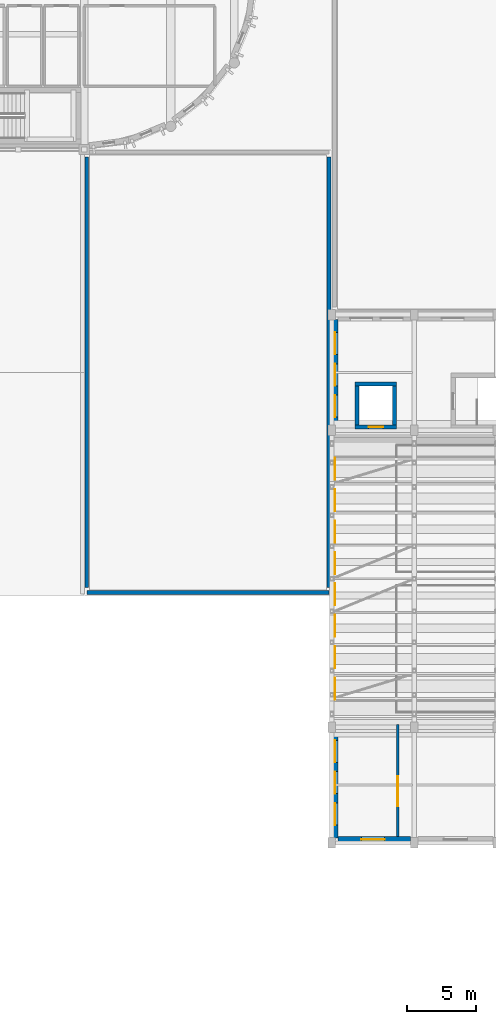
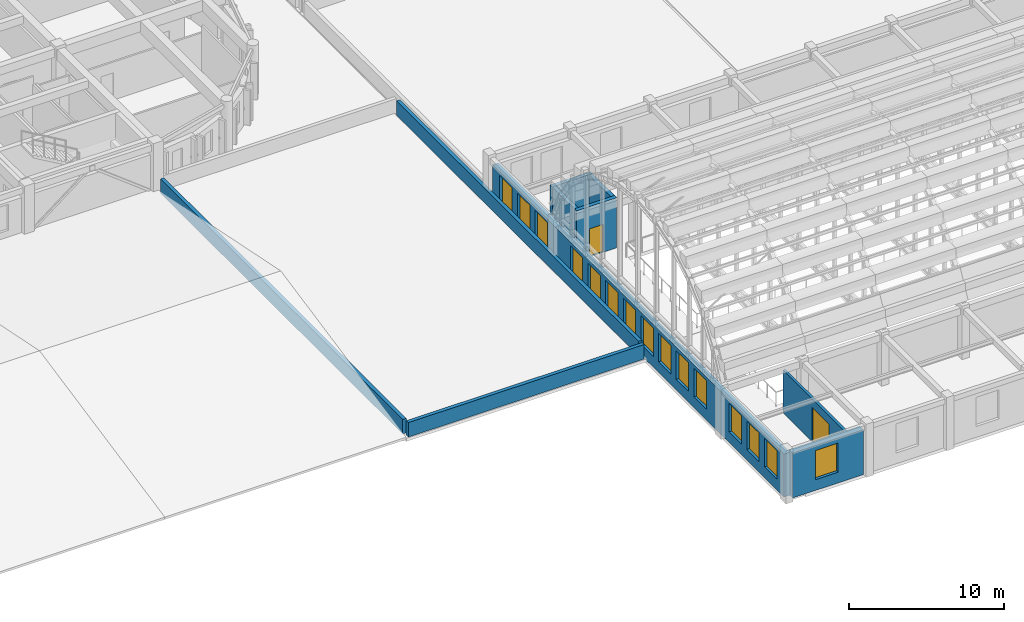
# One storey, part 17 of 46: 15 windows, 10 walls, 2 doors, 17 openings.
"""IFC4 building model written with IfcOpenShell, lengths in metres."""

from ifc_helpers import new_model, si_unit, direction, frame, frame_2d, origin, place, context, subcontext, project, spatial, rectangle, extrude, material, layer, layer_set, type_object, element, fill, save


model = new_model("IFC4")

# Units and contexts
model_context = context("Model", 3, precision=1e-05, world=origin(), true_north=direction((0.0, 1.0)))
body_context = subcontext(model_context, "Body", "Model", "MODEL_VIEW")
ifc_project = project(units=[si_unit("LENGTHUNIT", "METRE"), si_unit("AREAUNIT", "SQUARE_METRE"), si_unit("VOLUMEUNIT", "CUBIC_METRE"), si_unit("PLANEANGLEUNIT", "RADIAN"), si_unit("MASSUNIT", "GRAM", prefix="KILO")], contexts=[model_context])

# Site, building, storey
site_placement = place(None, origin())
site = spatial("IfcSite", under=ifc_project, at=site_placement, CompositionType="ELEMENT")
building_placement = place(site_placement, origin())
building = spatial("IfcBuilding", under=site, at=building_placement, Name="Tarnavel Promenade Courthouse", CompositionType="ELEMENT")
storey_placement = place(building_placement, frame((0.0, 0.0, 14.39990234375)))
storey = spatial("IfcBuildingStorey", under=building, at=storey_placement, Name="L04", CompositionType="ELEMENT", Elevation=14.39990234375)

# Walls
ifc_material_1 = material(Name="Concrete C35/45", Category="concrete")
ifc_layer_1 = layer(ifc_material_1, 0.264892578125)
ifc_layer_set_1 = layer_set([ifc_layer_1], Name="Concrete C35/45")
wall_type_1 = type_object("IfcWallType", Name="Concrete C35/45 WL-PAR-265 (265 mm)", PredefinedType="PARAPET", material=ifc_layer_set_1)
wall_1_placement = place(storey_placement, frame((119.800048828125, 47.0, 0.235107421875), z_axis=(0.0, 0.0, 1.0), x_axis=(-1.0, 0.0, 0.0)))
element("IfcWall", 1, at=wall_1_placement, inside=storey, type_object=wall_type_1, Name="L04 Winter-Garden East Roof Parapet South 0467", PredefinedType="PARAPET", context=body_context, shape_type="SweptSolid", body=[
    extrude(rectangle(XDim=17.60009765625, YDim=0.264892578125, at=frame_2d((8.800048828125, 0.0))), origin(), (0.0, 0.0, 1.0), 1.14501953125),
])
for number, where, z_axis, x_axis, name in (
    (2, (102.199951171875, 47.35009765625, 0.235107421875), (0.0, 0.0, 1.0), (0.0, 1.0, 0.0), "L04 Winter-Garden East Roof Parapet West 0468"),
    (3, (119.800048828125, 78.64990234375, 0.235107421875), (0.0, 0.0, 1.0), (0.0, -1.0, 0.0), "L04 Winter-Garden East Roof Parapet East 0469"),
):
    element("IfcWall", number, at=place(storey_placement, frame(where, z_axis=z_axis, x_axis=x_axis)), inside=storey, type_object=wall_type_1, Name=name, PredefinedType="PARAPET", context=body_context, shape_type="SweptSolid", body=[
        extrude(rectangle(XDim=31.2998046875, YDim=0.264892578125, at=frame_2d((15.64990234375, 0.0))), origin(), (0.0, 0.0, 1.0), 1.14501953125),
    ])
ifc_material_2 = material(Name="Concrete C40/50", Category="concrete")
ifc_layer_2 = layer(ifc_material_2, 0.280029296875)
ifc_layer_set_2 = layer_set([ifc_layer_2], Name="Concrete C40/50")
wall_type_2 = type_object("IfcWallType", Name="Concrete C40/50 WL-SHR-280 (280 mm)", PredefinedType="SHEAR", material=ifc_layer_set_2)
wall_2_placement = place(storey_placement, frame((121.699951171875, 62.159912109375, 0.0), z_axis=(0.0, 0.0, 1.0), x_axis=(1.0, 0.0, 0.0)))
element("IfcWall", 4, at=wall_2_placement, inside=storey, type_object=wall_type_2, Name="L04 L-PUB4 Lift Shaft North Wall", PredefinedType="SHEAR", context=body_context, shape_type="SweptSolid", body=[
    extrude(rectangle(XDim=3.0, YDim=0.280029296875, at=frame_2d((1.5, 0.0))), origin(), (0.0, 0.0, 1.0), 3.960205078125),
])

# Wall, opening, door
wall_3_placement = place(storey_placement, frame((124.699951171875, 59.0400390625, 0.0), z_axis=(0.0, 0.0, 1.0), x_axis=(-1.0, 0.0, 0.0)))
wall_3 = element("IfcWall", 5, at=wall_3_placement, inside=storey, type_object=wall_type_2, Name="L04 L-PUB4 Lift Shaft South Wall", PredefinedType="SHEAR", context=body_context, shape_type="SweptSolid", body=[
    extrude(rectangle(XDim=3.0, YDim=0.280029296875, at=frame_2d((1.5, 0.0))), origin(), (0.0, 0.0, 1.0), 3.960205078125),
])
opening_1_placement = place(wall_3_placement, frame((0.97509765625, 0.0, 0.0)))
opening_1 = element("IfcOpeningElement", 6, at=opening_1_placement, cuts=wall_3, Name="Opening LD-02", PredefinedType="OPENING", context=body_context, shape_type="SweptSolid", body=[
    extrude(rectangle(XDim=1.050048828125, YDim=2.199951171875, at=frame_2d((0.52490234375, 1.10009765625))), frame((0.0, 0.14990234375, 0.0), z_axis=(0.0, -1.0, 0.0), x_axis=(1.0, 0.0, 0.0)), (0.0, 0.0, 1.0), 0.300048828125),
])
ifc_material_3 = material(Name="Brushed Bronze Passenger Lift Landing Sliding Door")
door_type_1 = type_object("IfcDoorType", Name="Brushed Bronze Passenger Lift Landing Sliding Door (LD-PUB-1050x2200)", OperationType="NOTDEFINED", PredefinedType="DOOR", material=ifc_material_3)
door_1_placement = place(opening_1_placement, origin())
door_1 = element("IfcDoor", 7, at=door_1_placement, inside=storey, type_object=door_type_1, Name="L04 L-PUB4 Lift Sliding Landing Door", OperationType="DOUBLE_DOOR_SLIDING", OverallHeight=2.199951171875, OverallWidth=1.050048828125, PredefinedType="DOOR", context=body_context, shape_type="SweptSolid", body=[
    extrude(rectangle(XDim=1.050048828125, YDim=2.199951171875, at=frame_2d((0.52490234375, 1.10009765625))), frame((0.0, 0.02490234375, 0.0), z_axis=(0.0, -1.0, 0.0), x_axis=(1.0, 0.0, 0.0)), (0.0, 0.0, 1.0), 0.050048828125),
])
fill(opening_1, door_1)

# Walls
for number, where, z_axis, x_axis, name in (
    (8, (121.840087890625, 59.179931640625, 0.0), (0.0, 0.0, 1.0), (0.0, 1.0, 0.0), "L04 L-PUB4 Lift Shaft West Wall"),
    (9, (124.56005859375, 62.02001953125, 0.0), (0.0, 0.0, 1.0), (0.0, -1.0, 0.0), "L04 L-PUB4 Lift Shaft East Wall"),
):
    element("IfcWall", number, at=place(storey_placement, frame(where, z_axis=z_axis, x_axis=x_axis)), inside=storey, type_object=wall_type_2, Name=name, PredefinedType="SHEAR", context=body_context, shape_type="SweptSolid", body=[
        extrude(rectangle(XDim=2.840087890625, YDim=0.280029296875, at=frame_2d((1.419921875, 0.0))), origin(), (0.0, 0.0, 1.0), 3.960205078125),
    ])

# Wall, opening, door
ifc_material_4 = material(Name="Double-Stud Acoustic Courtroom Partition Assembly", Category="gypsum")
ifc_layer_3 = layer(ifc_material_4, 0.18505859375)
ifc_layer_set_3 = layer_set([ifc_layer_3], Name="Double-Stud Acoustic Courtroom Partition Assembly")
wall_type_3 = type_object("IfcWallType", Name="Double-Stud Acoustic Courtroom Partition Assembly WL-CRT-185 (185 mm)", PredefinedType="PARTITIONING", material=ifc_layer_set_3)
wall_4_placement = place(storey_placement, frame((124.800048828125, 29.27392578125, 0.0), z_axis=(0.0, 0.0, 1.0), x_axis=(0.0, 1.0, 0.0)))
wall_4 = element("IfcWall", 10, at=wall_4_placement, inside=storey, type_object=wall_type_3, Name="L04 Ceremonial Courtroom Upper Press Gallery Partition 0617", PredefinedType="PARTITIONING", context=body_context, shape_type="SweptSolid", body=[
    extrude(rectangle(XDim=8.12353515625, YDim=0.18505859375, at=frame_2d((4.061767578125, 0.0))), origin(), (0.0, 0.0, 1.0), 3.39013671875),
])
opening_2_placement = place(wall_4_placement, frame((2.17822265625, 0.0, 0.0)))
opening_2 = element("IfcOpeningElement", 11, at=opening_2_placement, cuts=wall_4, Name="Opening ID-02", PredefinedType="OPENING", context=body_context, shape_type="SweptSolid", body=[
    extrude(rectangle(XDim=2.199951171875, YDim=2.699951171875, at=frame_2d((1.10009765625, 1.35009765625))), frame((0.0, 0.1025390625, 0.0), z_axis=(0.0, -1.0, 0.0), x_axis=(1.0, 0.0, 0.0)), (0.0, 0.0, 1.0), 0.205078125),
])
ifc_material_5 = material(Name="Carved Walnut Ceremonial Courtroom Double Door")
door_type_2 = type_object("IfcDoorType", Name="Carved Walnut Ceremonial Courtroom Double Door (DR-CER-2200x2700)", OperationType="NOTDEFINED", PredefinedType="DOOR", material=ifc_material_5)
door_2_placement = place(opening_2_placement, origin())
door_2 = element("IfcDoor", 12, at=door_2_placement, inside=storey, type_object=door_type_2, Name="L04 Ceremonial Courtroom Upper Press Gallery Door 0176", OperationType="DOUBLE_DOOR_SINGLE_SWING", OverallHeight=2.699951171875, OverallWidth=2.199951171875, PredefinedType="DOOR", context=body_context, shape_type="SweptSolid", body=[
    extrude(rectangle(XDim=2.199951171875, YDim=2.699951171875, at=frame_2d((1.10009765625, 1.35009765625))), frame((0.0, 0.02490234375, 0.0), z_axis=(0.0, -1.0, 0.0), x_axis=(1.0, 0.0, 0.0)), (0.0, 0.0, 1.0), 0.050048828125),
])
fill(opening_2, door_2)

# Wall, openings, windows
ifc_material_6 = material(Name="Limestone Ashlar Faced Insulated Brick Masonry", Category="masonry")
ifc_layer_4 = layer(ifc_material_6, 0.43994140625)
ifc_layer_set_4 = layer_set([ifc_layer_4], Name="Limestone Ashlar Faced Insulated Brick Masonry")
wall_type_4 = type_object("IfcWallType", Name="Limestone Ashlar Faced Insulated Brick Masonry WL-EXT-440 (440 mm)", PredefinedType="STANDARD", material=ifc_layer_set_4)
wall_5_placement = place(storey_placement, frame((120.239990234375, 29.1669921875, 0.0), z_axis=(0.0, 0.0, 1.0), x_axis=(0.0, 1.0, 0.0)))
wall_5 = element("IfcWall", 13, at=wall_5_placement, inside=storey, type_object=wall_type_4, Name="L04 Ceremonial Pavilion L04 West Facade 0443", PredefinedType="STANDARD", context=body_context, shape_type="SweptSolid", body=[
    extrude(rectangle(XDim=37.666015625, YDim=0.43994140625, at=frame_2d((18.8330078125, 0.0))), origin(), (0.0, 0.0, 1.0), 3.39013671875),
])
opening_3_placement = place(wall_5_placement, frame((0.923583984375, 0.0, 0.85009765625)))
opening_3 = element("IfcOpeningElement", 14, at=opening_3_placement, cuts=wall_5, Name="Opening W-10", PredefinedType="OPENING", context=body_context, shape_type="SweptSolid", body=[
    extrude(rectangle(XDim=1.60009765625, YDim=2.25, at=frame_2d((0.800048828125, 1.125))), frame((0.0, 0.22998046875, 0.0), z_axis=(0.0, -1.0, 0.0), x_axis=(1.0, 0.0, 0.0)), (0.0, 0.0, 1.0), 0.4599609375),
])
opening_4_placement = place(wall_5_placement, frame((3.204833984375, 0.0, 0.85009765625)))
opening_4 = element("IfcOpeningElement", 15, at=opening_4_placement, cuts=wall_5, Name="Opening W-10", PredefinedType="OPENING", context=body_context, shape_type="SweptSolid", body=[
    extrude(rectangle(XDim=1.60009765625, YDim=2.25, at=frame_2d((0.800048828125, 1.125))), frame((0.0, 0.22998046875, 0.0), z_axis=(0.0, -1.0, 0.0), x_axis=(1.0, 0.0, 0.0)), (0.0, 0.0, 1.0), 0.4599609375),
])
opening_5_placement = place(wall_5_placement, frame((5.486083984375, 0.0, 0.85009765625)))
opening_5 = element("IfcOpeningElement", 16, at=opening_5_placement, cuts=wall_5, Name="Opening W-10", PredefinedType="OPENING", context=body_context, shape_type="SweptSolid", body=[
    extrude(rectangle(XDim=1.60009765625, YDim=2.25, at=frame_2d((0.800048828125, 1.125))), frame((0.0, 0.22998046875, 0.0), z_axis=(0.0, -1.0, 0.0), x_axis=(1.0, 0.0, 0.0)), (0.0, 0.0, 1.0), 0.4599609375),
])
opening_6_placement = place(wall_5_placement, frame((10.048583984375, 0.0, 0.85009765625)))
opening_6 = element("IfcOpeningElement", 17, at=opening_6_placement, cuts=wall_5, Name="Opening W-10", PredefinedType="OPENING", context=body_context, shape_type="SweptSolid", body=[
    extrude(rectangle(XDim=1.60009765625, YDim=2.25, at=frame_2d((0.800048828125, 1.125))), frame((0.0, 0.22998046875, 0.0), z_axis=(0.0, -1.0, 0.0), x_axis=(1.0, 0.0, 0.0)), (0.0, 0.0, 1.0), 0.4599609375),
])
opening_7_placement = place(wall_5_placement, frame((12.329833984375, 0.0, 0.85009765625)))
opening_7 = element("IfcOpeningElement", 18, at=opening_7_placement, cuts=wall_5, Name="Opening W-10", PredefinedType="OPENING", context=body_context, shape_type="SweptSolid", body=[
    extrude(rectangle(XDim=1.60009765625, YDim=2.25, at=frame_2d((0.800048828125, 1.125))), frame((0.0, 0.22998046875, 0.0), z_axis=(0.0, -1.0, 0.0), x_axis=(1.0, 0.0, 0.0)), (0.0, 0.0, 1.0), 0.4599609375),
])
opening_8_placement = place(wall_5_placement, frame((14.611083984375, 0.0, 0.85009765625)))
opening_8 = element("IfcOpeningElement", 19, at=opening_8_placement, cuts=wall_5, Name="Opening W-10", PredefinedType="OPENING", context=body_context, shape_type="SweptSolid", body=[
    extrude(rectangle(XDim=1.60009765625, YDim=2.25, at=frame_2d((0.800048828125, 1.125))), frame((0.0, 0.22998046875, 0.0), z_axis=(0.0, -1.0, 0.0), x_axis=(1.0, 0.0, 0.0)), (0.0, 0.0, 1.0), 0.4599609375),
])
opening_9_placement = place(wall_5_placement, frame((16.892333984375, 0.0, 0.85009765625)))
opening_9 = element("IfcOpeningElement", 20, at=opening_9_placement, cuts=wall_5, Name="Opening W-10", PredefinedType="OPENING", context=body_context, shape_type="SweptSolid", body=[
    extrude(rectangle(XDim=1.60009765625, YDim=2.25, at=frame_2d((0.800048828125, 1.125))), frame((0.0, 0.22998046875, 0.0), z_axis=(0.0, -1.0, 0.0), x_axis=(1.0, 0.0, 0.0)), (0.0, 0.0, 1.0), 0.4599609375),
])
opening_10_placement = place(wall_5_placement, frame((19.173583984375, 0.0, 0.85009765625)))
opening_10 = element("IfcOpeningElement", 21, at=opening_10_placement, cuts=wall_5, Name="Opening W-10", PredefinedType="OPENING", context=body_context, shape_type="SweptSolid", body=[
    extrude(rectangle(XDim=1.60009765625, YDim=2.25, at=frame_2d((0.800048828125, 1.125))), frame((0.0, 0.22998046875, 0.0), z_axis=(0.0, -1.0, 0.0), x_axis=(1.0, 0.0, 0.0)), (0.0, 0.0, 1.0), 0.4599609375),
])
opening_11_placement = place(wall_5_placement, frame((21.454833984375, 0.0, 0.85009765625)))
opening_11 = element("IfcOpeningElement", 22, at=opening_11_placement, cuts=wall_5, Name="Opening W-10", PredefinedType="OPENING", context=body_context, shape_type="SweptSolid", body=[
    extrude(rectangle(XDim=1.60009765625, YDim=2.25, at=frame_2d((0.800048828125, 1.125))), frame((0.0, 0.22998046875, 0.0), z_axis=(0.0, -1.0, 0.0), x_axis=(1.0, 0.0, 0.0)), (0.0, 0.0, 1.0), 0.4599609375),
])
opening_12_placement = place(wall_5_placement, frame((23.736083984375, 0.0, 0.85009765625)))
opening_12 = element("IfcOpeningElement", 23, at=opening_12_placement, cuts=wall_5, Name="Opening W-10", PredefinedType="OPENING", context=body_context, shape_type="SweptSolid", body=[
    extrude(rectangle(XDim=1.60009765625, YDim=2.25, at=frame_2d((0.800048828125, 1.125))), frame((0.0, 0.22998046875, 0.0), z_axis=(0.0, -1.0, 0.0), x_axis=(1.0, 0.0, 0.0)), (0.0, 0.0, 1.0), 0.4599609375),
])
opening_13_placement = place(wall_5_placement, frame((26.017333984375, 0.0, 0.85009765625)))
opening_13 = element("IfcOpeningElement", 24, at=opening_13_placement, cuts=wall_5, Name="Opening W-10", PredefinedType="OPENING", context=body_context, shape_type="SweptSolid", body=[
    extrude(rectangle(XDim=1.60009765625, YDim=2.25, at=frame_2d((0.800048828125, 1.125))), frame((0.0, 0.22998046875, 0.0), z_axis=(0.0, -1.0, 0.0), x_axis=(1.0, 0.0, 0.0)), (0.0, 0.0, 1.0), 0.4599609375),
])
opening_14_placement = place(wall_5_placement, frame((30.579833984375, 0.0, 0.85009765625)))
opening_14 = element("IfcOpeningElement", 25, at=opening_14_placement, cuts=wall_5, Name="Opening W-10", PredefinedType="OPENING", context=body_context, shape_type="SweptSolid", body=[
    extrude(rectangle(XDim=1.60009765625, YDim=2.25, at=frame_2d((0.800048828125, 1.125))), frame((0.0, 0.22998046875, 0.0), z_axis=(0.0, -1.0, 0.0), x_axis=(1.0, 0.0, 0.0)), (0.0, 0.0, 1.0), 0.4599609375),
])
opening_15_placement = place(wall_5_placement, frame((32.861083984375, 0.0, 0.85009765625)))
opening_15 = element("IfcOpeningElement", 26, at=opening_15_placement, cuts=wall_5, Name="Opening W-10", PredefinedType="OPENING", context=body_context, shape_type="SweptSolid", body=[
    extrude(rectangle(XDim=1.60009765625, YDim=2.25, at=frame_2d((0.800048828125, 1.125))), frame((0.0, 0.22998046875, 0.0), z_axis=(0.0, -1.0, 0.0), x_axis=(1.0, 0.0, 0.0)), (0.0, 0.0, 1.0), 0.4599609375),
])
opening_16_placement = place(wall_5_placement, frame((35.142333984375, 0.0, 0.85009765625)))
opening_16 = element("IfcOpeningElement", 27, at=opening_16_placement, cuts=wall_5, Name="Opening W-10", PredefinedType="OPENING", context=body_context, shape_type="SweptSolid", body=[
    extrude(rectangle(XDim=1.60009765625, YDim=2.25, at=frame_2d((0.800048828125, 1.125))), frame((0.0, 0.22998046875, 0.0), z_axis=(0.0, -1.0, 0.0), x_axis=(1.0, 0.0, 0.0)), (0.0, 0.0, 1.0), 0.4599609375),
])
ifc_material_7 = material(Name="Triple Low-E Glazed Bronze-Clad Window Assembly")
window_type_1 = type_object("IfcWindowType", Name="Triple-Glazed Bronze-Clad Timber-Aluminium WIN-PAV-1600x2250", PartitioningType="SINGLE_PANEL", PredefinedType="WINDOW", material=ifc_material_7)
window_1_placement = place(opening_3_placement, origin())
window_1 = element("IfcWindow", 28, at=window_1_placement, inside=storey, type_object=window_type_1, Name="L04 Exterior Window 0539", OverallHeight=2.25, OverallWidth=1.60009765625, PartitioningType="SINGLE_PANEL", PredefinedType="WINDOW", context=body_context, shape_type="SweptSolid", body=[
    extrude(rectangle(XDim=1.60009765625, YDim=2.25, at=frame_2d((0.800048828125, 1.125))), frame((0.0, 0.030029296875, 0.0), z_axis=(0.0, -1.0, 0.0), x_axis=(1.0, 0.0, 0.0)), (0.0, 0.0, 1.0), 0.06005859375),
])
fill(opening_3, window_1)
window_2_placement = place(opening_4_placement, origin())
window_2 = element("IfcWindow", 29, at=window_2_placement, inside=storey, type_object=window_type_1, Name="L04 Exterior Window 0540", OverallHeight=2.25, OverallWidth=1.60009765625, PartitioningType="SINGLE_PANEL", PredefinedType="WINDOW", context=body_context, shape_type="SweptSolid", body=[
    extrude(rectangle(XDim=1.60009765625, YDim=2.25, at=frame_2d((0.800048828125, 1.125))), frame((0.0, 0.030029296875, 0.0), z_axis=(0.0, -1.0, 0.0), x_axis=(1.0, 0.0, 0.0)), (0.0, 0.0, 1.0), 0.06005859375),
])
fill(opening_4, window_2)
window_3_placement = place(opening_5_placement, origin())
window_3 = element("IfcWindow", 30, at=window_3_placement, inside=storey, type_object=window_type_1, Name="L04 Exterior Window 0541", OverallHeight=2.25, OverallWidth=1.60009765625, PartitioningType="SINGLE_PANEL", PredefinedType="WINDOW", context=body_context, shape_type="SweptSolid", body=[
    extrude(rectangle(XDim=1.60009765625, YDim=2.25, at=frame_2d((0.800048828125, 1.125))), frame((0.0, 0.030029296875, 0.0), z_axis=(0.0, -1.0, 0.0), x_axis=(1.0, 0.0, 0.0)), (0.0, 0.0, 1.0), 0.06005859375),
])
fill(opening_5, window_3)
window_4_placement = place(opening_6_placement, origin())
window_4 = element("IfcWindow", 31, at=window_4_placement, inside=storey, type_object=window_type_1, Name="L04 Exterior Window 0542", OverallHeight=2.25, OverallWidth=1.60009765625, PartitioningType="SINGLE_PANEL", PredefinedType="WINDOW", context=body_context, shape_type="SweptSolid", body=[
    extrude(rectangle(XDim=1.60009765625, YDim=2.25, at=frame_2d((0.800048828125, 1.125))), frame((0.0, 0.030029296875, 0.0), z_axis=(0.0, -1.0, 0.0), x_axis=(1.0, 0.0, 0.0)), (0.0, 0.0, 1.0), 0.06005859375),
])
fill(opening_6, window_4)
window_5_placement = place(opening_7_placement, origin())
window_5 = element("IfcWindow", 32, at=window_5_placement, inside=storey, type_object=window_type_1, Name="L04 Exterior Window 0543", OverallHeight=2.25, OverallWidth=1.60009765625, PartitioningType="SINGLE_PANEL", PredefinedType="WINDOW", context=body_context, shape_type="SweptSolid", body=[
    extrude(rectangle(XDim=1.60009765625, YDim=2.25, at=frame_2d((0.800048828125, 1.125))), frame((0.0, 0.030029296875, 0.0), z_axis=(0.0, -1.0, 0.0), x_axis=(1.0, 0.0, 0.0)), (0.0, 0.0, 1.0), 0.06005859375),
])
fill(opening_7, window_5)
window_6_placement = place(opening_8_placement, origin())
window_6 = element("IfcWindow", 33, at=window_6_placement, inside=storey, type_object=window_type_1, Name="L04 Exterior Window 0544", OverallHeight=2.25, OverallWidth=1.60009765625, PartitioningType="SINGLE_PANEL", PredefinedType="WINDOW", context=body_context, shape_type="SweptSolid", body=[
    extrude(rectangle(XDim=1.60009765625, YDim=2.25, at=frame_2d((0.800048828125, 1.125))), frame((0.0, 0.030029296875, 0.0), z_axis=(0.0, -1.0, 0.0), x_axis=(1.0, 0.0, 0.0)), (0.0, 0.0, 1.0), 0.06005859375),
])
fill(opening_8, window_6)
window_7_placement = place(opening_9_placement, origin())
window_7 = element("IfcWindow", 34, at=window_7_placement, inside=storey, type_object=window_type_1, Name="L04 Exterior Window 0545", OverallHeight=2.25, OverallWidth=1.60009765625, PartitioningType="SINGLE_PANEL", PredefinedType="WINDOW", context=body_context, shape_type="SweptSolid", body=[
    extrude(rectangle(XDim=1.60009765625, YDim=2.25, at=frame_2d((0.800048828125, 1.125))), frame((0.0, 0.030029296875, 0.0), z_axis=(0.0, -1.0, 0.0), x_axis=(1.0, 0.0, 0.0)), (0.0, 0.0, 1.0), 0.06005859375),
])
fill(opening_9, window_7)
window_8_placement = place(opening_10_placement, origin())
window_8 = element("IfcWindow", 35, at=window_8_placement, inside=storey, type_object=window_type_1, Name="L04 Exterior Window 0546", OverallHeight=2.25, OverallWidth=1.60009765625, PartitioningType="SINGLE_PANEL", PredefinedType="WINDOW", context=body_context, shape_type="SweptSolid", body=[
    extrude(rectangle(XDim=1.60009765625, YDim=2.25, at=frame_2d((0.800048828125, 1.125))), frame((0.0, 0.030029296875, 0.0), z_axis=(0.0, -1.0, 0.0), x_axis=(1.0, 0.0, 0.0)), (0.0, 0.0, 1.0), 0.06005859375),
])
fill(opening_10, window_8)
window_9_placement = place(opening_11_placement, origin())
window_9 = element("IfcWindow", 36, at=window_9_placement, inside=storey, type_object=window_type_1, Name="L04 Exterior Window 0547", OverallHeight=2.25, OverallWidth=1.60009765625, PartitioningType="SINGLE_PANEL", PredefinedType="WINDOW", context=body_context, shape_type="SweptSolid", body=[
    extrude(rectangle(XDim=1.60009765625, YDim=2.25, at=frame_2d((0.800048828125, 1.125))), frame((0.0, 0.030029296875, 0.0), z_axis=(0.0, -1.0, 0.0), x_axis=(1.0, 0.0, 0.0)), (0.0, 0.0, 1.0), 0.06005859375),
])
fill(opening_11, window_9)
window_10_placement = place(opening_12_placement, origin())
window_10 = element("IfcWindow", 37, at=window_10_placement, inside=storey, type_object=window_type_1, Name="L04 Exterior Window 0548", OverallHeight=2.25, OverallWidth=1.60009765625, PartitioningType="SINGLE_PANEL", PredefinedType="WINDOW", context=body_context, shape_type="SweptSolid", body=[
    extrude(rectangle(XDim=1.60009765625, YDim=2.25, at=frame_2d((0.800048828125, 1.125))), frame((0.0, 0.030029296875, 0.0), z_axis=(0.0, -1.0, 0.0), x_axis=(1.0, 0.0, 0.0)), (0.0, 0.0, 1.0), 0.06005859375),
])
fill(opening_12, window_10)
window_11_placement = place(opening_13_placement, origin())
window_11 = element("IfcWindow", 38, at=window_11_placement, inside=storey, type_object=window_type_1, Name="L04 Exterior Window 0549", OverallHeight=2.25, OverallWidth=1.60009765625, PartitioningType="SINGLE_PANEL", PredefinedType="WINDOW", context=body_context, shape_type="SweptSolid", body=[
    extrude(rectangle(XDim=1.60009765625, YDim=2.25, at=frame_2d((0.800048828125, 1.125))), frame((0.0, 0.030029296875, 0.0), z_axis=(0.0, -1.0, 0.0), x_axis=(1.0, 0.0, 0.0)), (0.0, 0.0, 1.0), 0.06005859375),
])
fill(opening_13, window_11)
window_12_placement = place(opening_14_placement, origin())
window_12 = element("IfcWindow", 39, at=window_12_placement, inside=storey, type_object=window_type_1, Name="L04 Exterior Window 0550", OverallHeight=2.25, OverallWidth=1.60009765625, PartitioningType="SINGLE_PANEL", PredefinedType="WINDOW", context=body_context, shape_type="SweptSolid", body=[
    extrude(rectangle(XDim=1.60009765625, YDim=2.25, at=frame_2d((0.800048828125, 1.125))), frame((0.0, 0.030029296875, 0.0), z_axis=(0.0, -1.0, 0.0), x_axis=(1.0, 0.0, 0.0)), (0.0, 0.0, 1.0), 0.06005859375),
])
fill(opening_14, window_12)
window_13_placement = place(opening_15_placement, origin())
window_13 = element("IfcWindow", 40, at=window_13_placement, inside=storey, type_object=window_type_1, Name="L04 Exterior Window 0551", OverallHeight=2.25, OverallWidth=1.60009765625, PartitioningType="SINGLE_PANEL", PredefinedType="WINDOW", context=body_context, shape_type="SweptSolid", body=[
    extrude(rectangle(XDim=1.60009765625, YDim=2.25, at=frame_2d((0.800048828125, 1.125))), frame((0.0, 0.030029296875, 0.0), z_axis=(0.0, -1.0, 0.0), x_axis=(1.0, 0.0, 0.0)), (0.0, 0.0, 1.0), 0.06005859375),
])
fill(opening_15, window_13)
window_14_placement = place(opening_16_placement, origin())
window_14 = element("IfcWindow", 41, at=window_14_placement, inside=storey, type_object=window_type_1, Name="L04 Exterior Window 0552", OverallHeight=2.25, OverallWidth=1.60009765625, PartitioningType="SINGLE_PANEL", PredefinedType="WINDOW", context=body_context, shape_type="SweptSolid", body=[
    extrude(rectangle(XDim=1.60009765625, YDim=2.25, at=frame_2d((0.800048828125, 1.125))), frame((0.0, 0.030029296875, 0.0), z_axis=(0.0, -1.0, 0.0), x_axis=(1.0, 0.0, 0.0)), (0.0, 0.0, 1.0), 0.06005859375),
])
fill(opening_16, window_14)

# Wall, opening, window
ifc_layer_5 = layer(ifc_material_6, 0.47998046875)
ifc_layer_set_5 = layer_set([ifc_layer_5], Name="Limestone Ashlar Faced Insulated Brick Masonry")
wall_type_5 = type_object("IfcWallType", Name="Limestone Ashlar Faced Insulated Brick Masonry WL-EXT-480 (480 mm)", PredefinedType="STANDARD", material=ifc_layer_set_5)
wall_6_placement = place(storey_placement, frame((125.73291015625, 29.0400390625, 0.0), z_axis=(0.0, 0.0, 1.0), x_axis=(-1.0, 0.0, 0.0)))
wall_6 = element("IfcWall", 42, at=wall_6_placement, inside=storey, type_object=wall_type_5, Name="L04 Ceremonial Pavilion Upper South Facade 0396", PredefinedType="STANDARD", context=body_context, shape_type="SweptSolid", body=[
    extrude(rectangle(XDim=5.282958984375, YDim=0.47998046875, at=frame_2d((2.6416015625, 0.0))), origin(), (0.0, 0.0, 1.0), 3.5400390625),
])
opening_17_placement = place(wall_6_placement, frame((1.883056640625, 0.0, 0.85009765625)))
opening_17 = element("IfcOpeningElement", 43, at=opening_17_placement, cuts=wall_6, Name="Opening W-01", PredefinedType="OPENING", context=body_context, shape_type="SweptSolid", body=[
    extrude(rectangle(XDim=1.699951171875, YDim=2.300048828125, at=frame_2d((0.85009765625, 1.14990234375))), frame((0.0, 0.25, 0.0), z_axis=(0.0, -1.0, 0.0), x_axis=(1.0, 0.0, 0.0)), (0.0, 0.0, 1.0), 0.5),
])
window_type_2 = type_object("IfcWindowType", Name="Triple-Glazed Bronze-Clad Timber-Aluminium WIN-CRT-1700x2300", PartitioningType="SINGLE_PANEL", PredefinedType="WINDOW", material=ifc_material_7)
window_15_placement = place(opening_17_placement, origin())
window_15 = element("IfcWindow", 44, at=window_15_placement, inside=storey, type_object=window_type_2, Name="L04 Exterior Window 0484", OverallHeight=2.300048828125, OverallWidth=1.699951171875, PartitioningType="SINGLE_PANEL", PredefinedType="WINDOW", context=body_context, shape_type="SweptSolid", body=[
    extrude(rectangle(XDim=1.699951171875, YDim=2.300048828125, at=frame_2d((0.85009765625, 1.14990234375))), frame((0.0, 0.030029296875, 0.0), z_axis=(0.0, -1.0, 0.0), x_axis=(1.0, 0.0, 0.0)), (0.0, 0.0, 1.0), 0.06005859375),
])
fill(opening_17, window_15)

save(model, "model.ifc")
